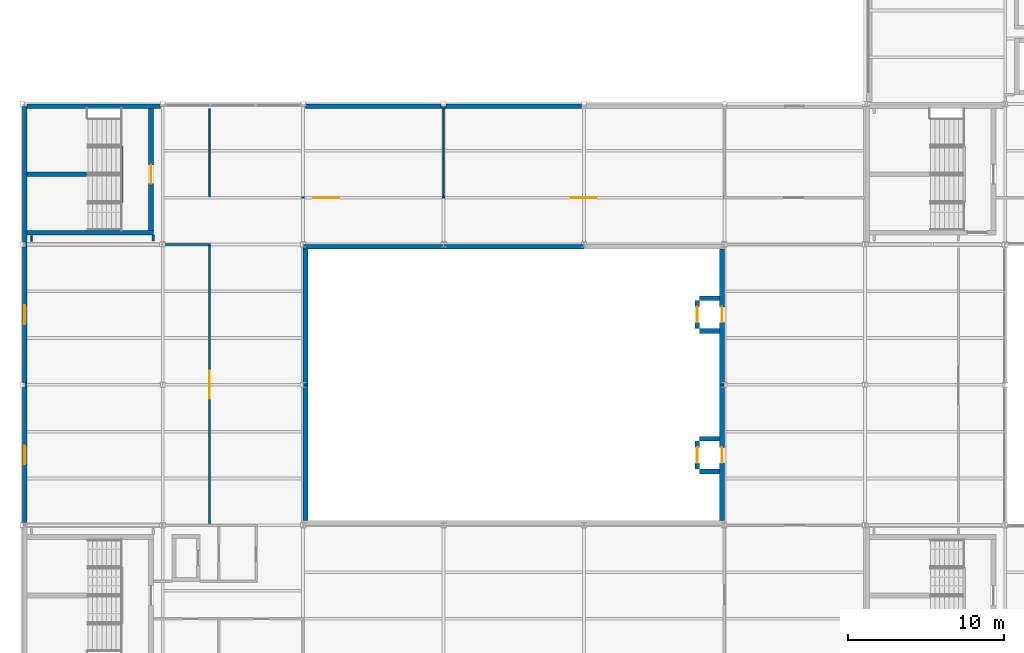
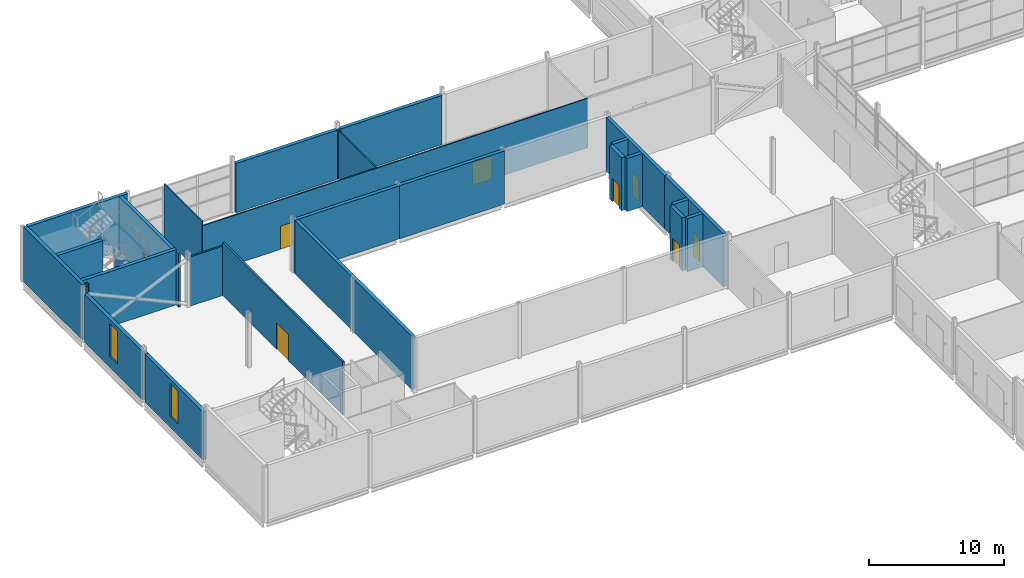
# One storey, part 82 of 112: 32 walls, 8 doors, 2 windows, 10 openings.
"""IFC4 building model written with IfcOpenShell, lengths in metres."""

from ifc_helpers import new_model, si_unit, direction, frame, frame_2d, origin, place, context, subcontext, project, spatial, rectangle, extrude, material, layer, layer_set, type_object, element, fill, save


model = new_model("IFC4")

# Units and contexts
model_context = context("Model", 3, precision=1e-05, world=origin(), true_north=direction((0.0, 1.0)))
body_context = subcontext(model_context, "Body", "Model", "MODEL_VIEW")
ifc_project = project(units=[si_unit("LENGTHUNIT", "METRE"), si_unit("AREAUNIT", "SQUARE_METRE"), si_unit("VOLUMEUNIT", "CUBIC_METRE"), si_unit("PLANEANGLEUNIT", "RADIAN"), si_unit("MASSUNIT", "GRAM", prefix="KILO")], contexts=[model_context])

# Site, building, storey
site_placement = place(None, origin())
site = spatial("IfcSite", under=ifc_project, at=site_placement, CompositionType="ELEMENT")
building_placement = place(site_placement, origin())
building = spatial("IfcBuilding", under=site, at=building_placement, Name="Shorebreak Coast Museum", CompositionType="ELEMENT")
storey_placement = place(building_placement, frame((0.0, 0.0, 6.0)))
storey = spatial("IfcBuildingStorey", under=building, at=storey_placement, Name="L01", CompositionType="ELEMENT", Elevation=6.0)

# Walls
ifc_material_1 = material(Name="Concrete N50 (50 MPa)", Category="concrete")
ifc_layer_1 = layer(ifc_material_1, 0.14990234375)
ifc_layer_set_1 = layer_set([ifc_layer_1], Name="Concrete N50 (50 MPa)")
wall_type_1 = type_object("IfcWallType", Name="Column closure panel 150", PredefinedType="SOLIDWALL", material=ifc_layer_set_1)
wall_1_placement = place(storey_placement, frame((26.839111328125, 89.77490234375, 0.0), z_axis=(0.0, 0.0, 1.0), x_axis=(1.0, 0.0, 0.0)))
element("IfcWall", 1, at=wall_1_placement, inside=storey, type_object=wall_type_1, Name="Column closure panel L01 N 4L", PredefinedType="SOLIDWALL", context=body_context, shape_type="SweptSolid", body=[
    extrude(rectangle(XDim=0.32177734375, YDim=0.14990234375, at=frame_2d((0.160888671875, 0.0))), origin(), (0.0, 0.0, 1.0), 4.469482421875),
])
wall_2_placement = place(storey_placement, frame((0.22509765625, 71.839111328125, 0.0), z_axis=(0.0, 0.0, 1.0), x_axis=(0.0, 1.0, 0.0)))
element("IfcWall", 2, at=wall_2_placement, inside=storey, type_object=wall_type_1, Name="Column closure panel L01 W 1J", PredefinedType="SOLIDWALL", context=body_context, shape_type="SweptSolid", body=[
    extrude(rectangle(XDim=0.32177734375, YDim=0.14990234375, at=frame_2d((0.160888671875, 0.0))), origin(), (0.0, 0.0, 1.0), 4.364501953125),
])
wall_3_placement = place(storey_placement, frame((0.22509765625, 80.827880859375, 0.0), z_axis=(0.0, 0.0, 1.0), x_axis=(0.0, 1.0, 0.0)))
element("IfcWall", 3, at=wall_3_placement, inside=storey, type_object=wall_type_1, Name="Column closure panel L01 W 1K", PredefinedType="SOLIDWALL", context=body_context, shape_type="SweptSolid", body=[
    extrude(rectangle(XDim=0.322021484375, YDim=0.14990234375, at=frame_2d((0.1611328125, 0.0))), origin(), (0.0, 0.0, 1.0), 5.0),
])
ifc_material_2 = material(Name="Plasterboard on steel stud", Category="steel")
ifc_layer_2 = layer(ifc_material_2, 0.14990234375)
ifc_layer_set_2 = layer_set([ifc_layer_2], Name="Plasterboard on steel stud")
wall_type_2 = type_object("IfcWallType", Name="Fire partition 150", PredefinedType="PARTITIONING", material=ifc_layer_set_2)
wall_4_placement = place(storey_placement, frame((9.154541015625, 81.0, 0.0), z_axis=(0.0, 0.0, 1.0), x_axis=(1.0, 0.0, 0.0)))
element("IfcWall", 4, at=wall_4_placement, inside=storey, type_object=wall_type_2, Name="Partition L01-050", PredefinedType="PARTITIONING", context=body_context, shape_type="SweptSolid", body=[
    extrude(rectangle(XDim=2.92041015625, YDim=0.14990234375, at=frame_2d((1.460205078125, 0.0))), origin(), (0.0, 0.0, 1.0), 4.469482421875),
])
wall_5_placement = place(storey_placement, frame((8.39990234375, 81.219970703125, 0.0), z_axis=(0.0, 0.0, 1.0), x_axis=(0.0, 1.0, 0.0)))
element("IfcWall", 5, at=wall_5_placement, inside=storey, type_object=wall_type_2, Name="Partition L01-088", PredefinedType="PARTITIONING", context=body_context, shape_type="SweptSolid", body=[
    extrude(rectangle(XDim=0.380126953125, YDim=0.14990234375, at=frame_2d((0.18994140625, 0.0))), origin(), (0.0, 0.0, 1.0), 4.824951171875),
])

# Wall, opening, door
wall_6_placement = place(storey_placement, frame((12.0, 63.0625, 0.0), z_axis=(0.0, 0.0, 1.0), x_axis=(0.0, 1.0, 0.0)))
wall_6 = element("IfcWall", 6, at=wall_6_placement, inside=storey, type_object=wall_type_2, Name="Partition L01-089", PredefinedType="PARTITIONING", context=body_context, shape_type="SweptSolid", body=[
    extrude(rectangle(XDim=17.862548828125, YDim=0.14990234375, at=frame_2d((8.93115234375, 0.0))), origin(), (0.0, 0.0, 1.0), 4.824951171875),
])
opening_1_placement = place(wall_6_placement, frame((8.050048828125, 0.0, 0.0)))
opening_1 = element("IfcOpeningElement", 7, at=opening_1_placement, cuts=wall_6, Name="Opening D1048", PredefinedType="OPENING", context=body_context, shape_type="SweptSolid", body=[
    extrude(rectangle(XDim=1.800048828125, YDim=2.39990234375, at=frame_2d((0.89990234375, 1.199951171875))), frame((0.0, 0.0849609375, 0.0), z_axis=(0.0, -1.0, 0.0), x_axis=(1.0, 0.0, 0.0)), (0.0, 0.0, 1.0), 0.169921875),
])
ifc_material_3 = material(Name="Steel", Category="steel")
door_type_1 = type_object("IfcDoorType", Name="Fire door 1800x2400 60", OperationType="DOUBLE_DOOR_SINGLE_SWING", PredefinedType="DOOR", material=ifc_material_3)
door_1_placement = place(opening_1_placement, origin())
door_1 = element("IfcDoor", 8, at=door_1_placement, inside=storey, type_object=door_type_1, Name="Door D1048 Family Gallery", OperationType="DOUBLE_DOOR_SINGLE_SWING", OverallHeight=2.39990234375, OverallWidth=1.800048828125, PredefinedType="DOOR", context=body_context, shape_type="SweptSolid", body=[
    extrude(rectangle(XDim=1.800048828125, YDim=2.39990234375, at=frame_2d((0.89990234375, 1.199951171875))), frame((0.0, 0.02490234375, 0.0), z_axis=(0.0, -1.0, 0.0), x_axis=(1.0, 0.0, 0.0)), (0.0, 0.0, 1.0), 0.050048828125),
])
fill(opening_1, door_1)

# Wall, openings, doors
ifc_material_4 = material(Name="Plasterboard on steel stud", Category="steel")
ifc_layer_3 = layer(ifc_material_4, 0.10009765625)
ifc_layer_set_3 = layer_set([ifc_layer_3], Name="Plasterboard on steel stud")
wall_type_3 = type_object("IfcWallType", Name="Partition 100", PredefinedType="PARTITIONING", material=ifc_layer_set_3)
wall_7_placement = place(storey_placement, frame((11.949951171875, 84.0, 0.0), z_axis=(0.0, 0.0, 1.0), x_axis=(1.0, 0.0, 0.0)))
wall_7 = element("IfcWall", 9, at=wall_7_placement, inside=storey, type_object=wall_type_3, Name="Partition L01-057", PredefinedType="PARTITIONING", context=body_context, shape_type="SweptSolid", body=[
    extrude(rectangle(XDim=33.10009765625, YDim=0.10009765625, at=frame_2d((16.550048828125, 0.0))), origin(), (0.0, 0.0, 1.0), 4.469482421875),
])
opening_2_placement = place(wall_7_placement, frame((6.699951171875, 0.0, 0.0)))
opening_2 = element("IfcOpeningElement", 10, at=opening_2_placement, cuts=wall_7, Name="Opening D1050", PredefinedType="OPENING", context=body_context, shape_type="SweptSolid", body=[
    extrude(rectangle(XDim=1.64990234375, YDim=2.10009765625, at=frame_2d((0.824951171875, 1.050048828125))), frame((0.0, 0.06005859375, 0.0), z_axis=(0.0, -1.0, 0.0), x_axis=(1.0, 0.0, 0.0)), (0.0, 0.0, 1.0), 0.1201171875),
])
opening_3_placement = place(wall_7_placement, frame((23.199951171875, 0.0, 0.0)))
opening_3 = element("IfcOpeningElement", 11, at=opening_3_placement, cuts=wall_7, Name="Opening D1051", PredefinedType="OPENING", context=body_context, shape_type="SweptSolid", body=[
    extrude(rectangle(XDim=1.64990234375, YDim=2.10009765625, at=frame_2d((0.824951171875, 1.050048828125))), frame((0.0, 0.06005859375, 0.0), z_axis=(0.0, -1.0, 0.0), x_axis=(1.0, 0.0, 0.0)), (0.0, 0.0, 1.0), 0.1201171875),
])
ifc_material_5 = material(Name="Timber", Category="wood")
door_type_2 = type_object("IfcDoorType", Name="Interior door 1650x2100", OperationType="DOUBLE_DOOR_SINGLE_SWING", PredefinedType="DOOR", material=ifc_material_5)
door_2_placement = place(opening_2_placement, origin())
door_2 = element("IfcDoor", 12, at=door_2_placement, inside=storey, type_object=door_type_2, Name="Door D1050 Learning Studio 1.01", OperationType="DOUBLE_DOOR_SINGLE_SWING", OverallHeight=2.10009765625, OverallWidth=1.64990234375, PredefinedType="DOOR", context=body_context, shape_type="SweptSolid", body=[
    extrude(rectangle(XDim=1.64990234375, YDim=2.10009765625, at=frame_2d((0.824951171875, 1.050048828125))), frame((0.0, 0.02490234375, 0.0), z_axis=(0.0, -1.0, 0.0), x_axis=(1.0, 0.0, 0.0)), (0.0, 0.0, 1.0), 0.050048828125),
])
fill(opening_2, door_2)
door_3_placement = place(opening_3_placement, origin())
door_3 = element("IfcDoor", 13, at=door_3_placement, inside=storey, type_object=door_type_2, Name="Door D1051 Learning Studio 1.02", OperationType="DOUBLE_DOOR_SINGLE_SWING", OverallHeight=2.10009765625, OverallWidth=1.64990234375, PredefinedType="DOOR", context=body_context, shape_type="SweptSolid", body=[
    extrude(rectangle(XDim=1.64990234375, YDim=2.10009765625, at=frame_2d((0.824951171875, 1.050048828125))), frame((0.0, 0.02490234375, 0.0), z_axis=(0.0, -1.0, 0.0), x_axis=(1.0, 0.0, 0.0)), (0.0, 0.0, 1.0), 0.050048828125),
])
fill(opening_3, door_3)

# Walls
wall_8_placement = place(storey_placement, frame((0.60009765625, 81.219970703125, 0.0), z_axis=(0.0, 0.0, 1.0), x_axis=(0.0, 1.0, 0.0)))
element("IfcWall", 14, at=wall_8_placement, inside=storey, type_object=wall_type_3, Name="Partition L01-086", PredefinedType="PARTITIONING", context=body_context, shape_type="SweptSolid", body=[
    extrude(rectangle(XDim=0.330078125, YDim=0.10009765625, at=frame_2d((0.1650390625, 0.0))), origin(), (0.0, 0.0, 1.0), 4.824951171875),
])
wall_9_placement = place(storey_placement, frame((12.0, 84.050048828125, 0.0), z_axis=(0.0, 0.0, 1.0), x_axis=(0.0, 1.0, 0.0)))
element("IfcWall", 15, at=wall_9_placement, inside=storey, type_object=wall_type_3, Name="Partition L01-090", PredefinedType="PARTITIONING", context=body_context, shape_type="SweptSolid", body=[
    extrude(rectangle(XDim=5.64990234375, YDim=0.10009765625, at=frame_2d((2.824951171875, 0.0))), origin(), (0.0, 0.0, 1.0), 4.824951171875),
])
wall_10_placement = place(storey_placement, frame((27.0, 84.050048828125, 0.0), z_axis=(0.0, 0.0, 1.0), x_axis=(0.0, 1.0, 0.0)))
element("IfcWall", 16, at=wall_10_placement, inside=storey, type_object=wall_type_3, Name="Partition L01-095", PredefinedType="PARTITIONING", context=body_context, shape_type="SweptSolid", body=[
    extrude(rectangle(XDim=5.64990234375, YDim=0.10009765625, at=frame_2d((2.824951171875, 0.0))), origin(), (0.0, 0.0, 1.0), 4.364501953125),
])

# Wall, opening, window
ifc_material_6 = material(Name="Concrete N50 (50 MPa)", Category="concrete")
ifc_layer_4 = layer(ifc_material_6, 0.300048828125)
ifc_layer_set_4 = layer_set([ifc_layer_4], Name="Concrete N50 (50 MPa)")
wall_type_4 = type_object("IfcWallType", Name="Precast board-marked panel 300", PredefinedType="SOLIDWALL", material=ifc_layer_set_4)
wall_11_placement = place(storey_placement, frame((0.14990234375, 63.172119140625, 0.0), z_axis=(0.0, 0.0, 1.0), x_axis=(0.0, 1.0, 0.0)))
wall_11 = element("IfcWall", 17, at=wall_11_placement, inside=storey, type_object=wall_type_4, Name="External wall L01 W 1H", PredefinedType="SOLIDWALL", context=body_context, shape_type="SweptSolid", body=[
    extrude(rectangle(XDim=8.6669921875, YDim=0.300048828125, at=frame_2d((4.33349609375, 0.0))), origin(), (0.0, 0.0, 1.0), 4.364501953125),
])
opening_4_placement = place(wall_11_placement, frame((3.72802734375, 0.0, 1.0)))
opening_4 = element("IfcOpeningElement", 18, at=opening_4_placement, cuts=wall_11, Name="Opening WN1052", PredefinedType="OPENING", context=body_context, shape_type="SweptSolid", body=[
    extrude(rectangle(XDim=1.199951171875, YDim=3.0, at=frame_2d((0.60009765625, 1.5))), frame((0.0, 0.159912109375, 0.0), z_axis=(0.0, -1.0, 0.0), x_axis=(1.0, 0.0, 0.0)), (0.0, 0.0, 1.0), 0.320068359375),
])
ifc_material_7 = material(Name="Aluminium", Category="aluminium")
window_type = type_object("IfcWindowType", Name="Foyer slot window 1200 x 3000", PartitioningType="SINGLE_PANEL", PredefinedType="WINDOW", material=ifc_material_7)
window_1_placement = place(opening_4_placement, origin())
window_1 = element("IfcWindow", 19, at=window_1_placement, inside=storey, type_object=window_type, Name="Window WN1052", OverallHeight=3.0, OverallWidth=1.199951171875, PartitioningType="SINGLE_PANEL", PredefinedType="WINDOW", context=body_context, shape_type="SweptSolid", body=[
    extrude(rectangle(XDim=1.199951171875, YDim=3.0, at=frame_2d((0.60009765625, 1.5))), frame((0.0, 0.030029296875, 0.0), z_axis=(0.0, -1.0, 0.0), x_axis=(1.0, 0.0, 0.0)), (0.0, 0.0, 1.0), 0.06005859375),
])
fill(opening_4, window_1)

wall_12_placement = place(storey_placement, frame((0.14990234375, 72.160888671875, 0.0), z_axis=(0.0, 0.0, 1.0), x_axis=(0.0, 1.0, 0.0)))
wall_12 = element("IfcWall", 20, at=wall_12_placement, inside=storey, type_object=wall_type_4, Name="External wall L01 W 1J", PredefinedType="SOLIDWALL", context=body_context, shape_type="SweptSolid", body=[
    extrude(rectangle(XDim=8.6669921875, YDim=0.300048828125, at=frame_2d((4.33349609375, 0.0))), origin(), (0.0, 0.0, 1.0), 4.364501953125),
])
opening_5_placement = place(wall_12_placement, frame((3.739013671875, 0.0, 1.0)))
opening_5 = element("IfcOpeningElement", 21, at=opening_5_placement, cuts=wall_12, Name="Opening WN1053", PredefinedType="OPENING", context=body_context, shape_type="SweptSolid", body=[
    extrude(rectangle(XDim=1.199951171875, YDim=3.0, at=frame_2d((0.60009765625, 1.5))), frame((0.0, 0.159912109375, 0.0), z_axis=(0.0, -1.0, 0.0), x_axis=(1.0, 0.0, 0.0)), (0.0, 0.0, 1.0), 0.320068359375),
])
window_2_placement = place(opening_5_placement, origin())
window_2 = element("IfcWindow", 22, at=window_2_placement, inside=storey, type_object=window_type, Name="Window WN1053", OverallHeight=3.0, OverallWidth=1.199951171875, PartitioningType="SINGLE_PANEL", PredefinedType="WINDOW", context=body_context, shape_type="SweptSolid", body=[
    extrude(rectangle(XDim=1.199951171875, YDim=3.0, at=frame_2d((0.60009765625, 1.5))), frame((0.0, 0.030029296875, 0.0), z_axis=(0.0, -1.0, 0.0), x_axis=(1.0, 0.0, 0.0)), (0.0, 0.0, 1.0), 0.06005859375),
])
fill(opening_5, window_2)

# Walls
wall_13_placement = place(storey_placement, frame((18.14990234375, 89.85009765625, 0.0), z_axis=(0.0, 0.0, 1.0), x_axis=(1.0, 0.0, 0.0)))
element("IfcWall", 23, at=wall_13_placement, inside=storey, type_object=wall_type_4, Name="External wall L01 N 3L", PredefinedType="SOLIDWALL", context=body_context, shape_type="SweptSolid", body=[
    extrude(rectangle(XDim=8.689208984375, YDim=0.300048828125, at=frame_2d((4.3447265625, 0.0))), origin(), (0.0, 0.0, 1.0), 4.469482421875),
])
wall_14_placement = place(storey_placement, frame((27.160888671875, 89.85009765625, 0.0), z_axis=(0.0, 0.0, 1.0), x_axis=(1.0, 0.0, 0.0)))
element("IfcWall", 24, at=wall_14_placement, inside=storey, type_object=wall_type_4, Name="External wall L01 N 4L", PredefinedType="SOLIDWALL", context=body_context, shape_type="SweptSolid", body=[
    extrude(rectangle(XDim=8.67822265625, YDim=0.300048828125, at=frame_2d((4.339111328125, 0.0))), origin(), (0.0, 0.0, 1.0), 4.469482421875),
])
ifc_material_8 = material(Name="Concrete N50 (50 MPa)", Category="concrete")
ifc_layer_5 = layer(ifc_material_8, 0.300048828125)
ifc_layer_set_5 = layer_set([ifc_layer_5], Name="Concrete N50 (50 MPa)")
wall_type_5 = type_object("IfcWallType", Name="RC wall 300", PredefinedType="SHEAR", material=ifc_layer_set_5)
wall_15_placement = place(storey_placement, frame((0.300048828125, 81.75, 0.0), z_axis=(0.0, 0.0, 1.0), x_axis=(1.0, 0.0, 0.0)))
element("IfcWall", 25, at=wall_15_placement, inside=storey, type_object=wall_type_5, Name="Stair core wall ST06 L01 S", PredefinedType="SHEAR", context=body_context, shape_type="SweptSolid", body=[
    extrude(rectangle(XDim=8.099853515625, YDim=0.300048828125, at=frame_2d((4.0498046875, 0.0))), origin(), (0.0, 0.0, 1.0), 5.0),
])
wall_16_placement = place(storey_placement, frame((0.300048828125, 89.85009765625, 0.0), z_axis=(0.0, 0.0, 1.0), x_axis=(1.0, 0.0, 0.0)))
element("IfcWall", 26, at=wall_16_placement, inside=storey, type_object=wall_type_5, Name="Stair core wall ST06 L01 N", PredefinedType="SHEAR", context=body_context, shape_type="SweptSolid", body=[
    extrude(rectangle(XDim=8.550048828125, YDim=0.300048828125, at=frame_2d((4.27490234375, 0.0))), origin(), (0.0, 0.0, 1.0), 5.0),
])
wall_17_placement = place(storey_placement, frame((0.14990234375, 81.14990234375, 0.0), z_axis=(0.0, 0.0, 1.0), x_axis=(0.0, 1.0, 0.0)))
element("IfcWall", 27, at=wall_17_placement, inside=storey, type_object=wall_type_5, Name="Stair core wall ST06 L01 W", PredefinedType="SHEAR", context=body_context, shape_type="SweptSolid", body=[
    extrude(rectangle(XDim=8.7001953125, YDim=0.300048828125, at=frame_2d((4.35009765625, 0.0))), origin(), (0.0, 0.0, 1.0), 5.0),
])

# Wall, opening, door
wall_18_placement = place(storey_placement, frame((8.25, 81.89990234375, 0.0), z_axis=(0.0, 0.0, 1.0), x_axis=(0.0, 1.0, 0.0)))
wall_18 = element("IfcWall", 28, at=wall_18_placement, inside=storey, type_object=wall_type_5, Name="Stair core wall ST06 L01 E", PredefinedType="SHEAR", context=body_context, shape_type="SweptSolid", body=[
    extrude(rectangle(XDim=7.800048828125, YDim=0.300048828125, at=frame_2d((3.89990234375, 0.0))), origin(), (0.0, 0.0, 1.0), 5.0),
])
opening_6_placement = place(wall_18_placement, frame((3.0, 0.0, 0.0)))
opening_6 = element("IfcOpeningElement", 29, at=opening_6_placement, cuts=wall_18, Name="Opening D1806", PredefinedType="OPENING", context=body_context, shape_type="SweptSolid", body=[
    extrude(rectangle(XDim=1.199951171875, YDim=2.10009765625, at=frame_2d((0.60009765625, 1.050048828125))), frame((0.0, 0.159912109375, 0.0), z_axis=(0.0, -1.0, 0.0), x_axis=(1.0, 0.0, 0.0)), (0.0, 0.0, 1.0), 0.320068359375),
])
ifc_material_9 = material(Name="Steel Grade 300", Category="steel")
door_type_3 = type_object("IfcDoorType", Name="Fire door 1200x2100", OperationType="SINGLE_SWING_LEFT", PredefinedType="DOOR", material=ifc_material_9)
door_4_placement = place(opening_6_placement, origin())
door_4 = element("IfcDoor", 30, at=door_4_placement, inside=storey, type_object=door_type_3, Name="Stair door ST06 L01", OperationType="SINGLE_SWING_RIGHT", OverallHeight=2.10009765625, OverallWidth=1.199951171875, PredefinedType="DOOR", context=body_context, shape_type="SweptSolid", body=[
    extrude(rectangle(XDim=1.199951171875, YDim=2.10009765625, at=frame_2d((0.60009765625, 1.050048828125))), frame((0.0, 0.02490234375, 0.0), z_axis=(0.0, -1.0, 0.0), x_axis=(1.0, 0.0, 0.0)), (0.0, 0.0, 1.0), 0.050048828125),
])
fill(opening_6, door_4)

# Walls
wall_19_placement = place(storey_placement, frame((4.199951171875, 85.5, 0.0), z_axis=(0.0, 0.0, 1.0), x_axis=(-1.0, 0.0, 0.0)))
element("IfcWall", 31, at=wall_19_placement, inside=storey, type_object=wall_type_5, Name="Stair spine wall ST06 L01", PredefinedType="SHEAR", context=body_context, shape_type="SweptSolid", body=[
    extrude(rectangle(XDim=3.89990234375, YDim=0.300048828125, at=frame_2d((1.949951171875, 0.0))), origin(), (0.0, 0.0, 1.0), 5.0),
])
for number, where, z_axis, x_axis, name in (
    (32, (18.0, 80.85009765625, 0.0), (0.0, 0.0, 1.0), (1.0, 0.0, 0.0), "Auditorium wall L01 N1"),
    (33, (27.0, 80.85009765625, 0.0), (0.0, 0.0, 1.0), (1.0, 0.0, 0.0), "Auditorium wall L01 N2"),
):
    element("IfcWall", number, at=place(storey_placement, frame(where, z_axis=z_axis, x_axis=x_axis)), inside=storey, type_object=wall_type_5, Name=name, PredefinedType="SHEAR", context=body_context, shape_type="SweptSolid", body=[
        extrude(rectangle(XDim=9.0, YDim=0.300048828125, at=frame_2d((4.5, 0.0))), origin(), (0.0, 0.0, 1.0), 4.824951171875),
    ])
for number, where, z_axis, x_axis, name in (
    (34, (18.14990234375, 63.300048828125, 0.0), (0.0, 0.0, 1.0), (0.0, 1.0, 0.0), "Auditorium wall L01 W1"),
    (35, (18.14990234375, 72.0, 0.0), (0.0, 0.0, 1.0), (0.0, 1.0, 0.0), "Auditorium wall L01 W2"),
):
    element("IfcWall", number, at=place(storey_placement, frame(where, z_axis=z_axis, x_axis=x_axis)), inside=storey, type_object=wall_type_5, Name=name, PredefinedType="SHEAR", context=body_context, shape_type="SweptSolid", body=[
        extrude(rectangle(XDim=8.699951171875, YDim=0.300048828125, at=frame_2d((4.35009765625, 0.0))), origin(), (0.0, 0.0, 1.0), 4.824951171875),
    ])

# Wall, opening, door
wall_20_placement = place(storey_placement, frame((44.85009765625, 63.300048828125, 0.0), z_axis=(0.0, 0.0, 1.0), x_axis=(0.0, 1.0, 0.0)))
wall_20 = element("IfcWall", 36, at=wall_20_placement, inside=storey, type_object=wall_type_5, Name="Auditorium wall L01 E1", PredefinedType="SHEAR", context=body_context, shape_type="SweptSolid", body=[
    extrude(rectangle(XDim=8.699951171875, YDim=0.300048828125, at=frame_2d((4.35009765625, 0.0))), origin(), (0.0, 0.0, 1.0), 4.824951171875),
])
opening_7_placement = place(wall_20_placement, frame((3.699951171875, 0.0, 0.0)))
opening_7 = element("IfcOpeningElement", 37, at=opening_7_placement, cuts=wall_20, Name="Opening D1501", PredefinedType="OPENING", context=body_context, shape_type="SweptSolid", body=[
    extrude(rectangle(XDim=1.0, YDim=2.10009765625, at=frame_2d((0.5, 1.050048828125))), frame((0.0, 0.159912109375, 0.0), z_axis=(0.0, -1.0, 0.0), x_axis=(1.0, 0.0, 0.0)), (0.0, 0.0, 1.0), 0.320068359375),
])
ifc_material_10 = material(Name="Timber", Category="wood")
door_type_4 = type_object("IfcDoorType", Name="Sound lock door 1000x2100", OperationType="SINGLE_SWING_LEFT", PredefinedType="DOOR", material=ifc_material_10)
door_5_placement = place(opening_7_placement, origin())
door_5 = element("IfcDoor", 38, at=door_5_placement, inside=storey, type_object=door_type_4, Name="Sound lock outer door 1", OperationType="SINGLE_SWING_LEFT", OverallHeight=2.10009765625, OverallWidth=1.0, PredefinedType="DOOR", context=body_context, shape_type="SweptSolid", body=[
    extrude(rectangle(XDim=1.0, YDim=2.10009765625, at=frame_2d((0.5, 1.050048828125))), frame((0.0, 0.02490234375, 0.0), z_axis=(0.0, -1.0, 0.0), x_axis=(1.0, 0.0, 0.0)), (0.0, 0.0, 1.0), 0.050048828125),
])
fill(opening_7, door_5)

wall_21_placement = place(storey_placement, frame((44.85009765625, 72.0, 0.0), z_axis=(0.0, 0.0, 1.0), x_axis=(0.0, 1.0, 0.0)))
wall_21 = element("IfcWall", 39, at=wall_21_placement, inside=storey, type_object=wall_type_5, Name="Auditorium wall L01 E2", PredefinedType="SHEAR", context=body_context, shape_type="SweptSolid", body=[
    extrude(rectangle(XDim=8.699951171875, YDim=0.300048828125, at=frame_2d((4.35009765625, 0.0))), origin(), (0.0, 0.0, 1.0), 4.824951171875),
])
opening_8_placement = place(wall_21_placement, frame((4.0, 0.0, 0.0)))
opening_8 = element("IfcOpeningElement", 40, at=opening_8_placement, cuts=wall_21, Name="Opening D1502", PredefinedType="OPENING", context=body_context, shape_type="SweptSolid", body=[
    extrude(rectangle(XDim=1.0, YDim=2.10009765625, at=frame_2d((0.5, 1.050048828125))), frame((0.0, 0.159912109375, 0.0), z_axis=(0.0, -1.0, 0.0), x_axis=(1.0, 0.0, 0.0)), (0.0, 0.0, 1.0), 0.320068359375),
])
door_6_placement = place(opening_8_placement, origin())
door_6 = element("IfcDoor", 41, at=door_6_placement, inside=storey, type_object=door_type_4, Name="Sound lock outer door 2", OperationType="SINGLE_SWING_RIGHT", OverallHeight=2.10009765625, OverallWidth=1.0, PredefinedType="DOOR", context=body_context, shape_type="SweptSolid", body=[
    extrude(rectangle(XDim=1.0, YDim=2.10009765625, at=frame_2d((0.5, 1.050048828125))), frame((0.0, 0.02490234375, 0.0), z_axis=(0.0, -1.0, 0.0), x_axis=(1.0, 0.0, 0.0)), (0.0, 0.0, 1.0), 0.050048828125),
])
fill(opening_8, door_6)

wall_22_placement = place(storey_placement, frame((43.25, 66.60009765625, 0.0), z_axis=(0.0, 0.0, 1.0), x_axis=(0.0, 1.0, 0.0)))
wall_22 = element("IfcWall", 42, at=wall_22_placement, inside=storey, type_object=wall_type_5, Name="Sound lock wall 1 inner", PredefinedType="SHEAR", context=body_context, shape_type="SweptSolid", body=[
    extrude(rectangle(XDim=1.7998046875, YDim=0.300048828125, at=frame_2d((0.89990234375, 0.0))), origin(), (0.0, 0.0, 1.0), 4.824951171875),
])
opening_9_placement = place(wall_22_placement, frame((0.39990234375, 0.0, 0.0)))
opening_9 = element("IfcOpeningElement", 43, at=opening_9_placement, cuts=wall_22, Name="Opening D1503", PredefinedType="OPENING", context=body_context, shape_type="SweptSolid", body=[
    extrude(rectangle(XDim=1.0, YDim=2.10009765625, at=frame_2d((0.5, 1.050048828125))), frame((0.0, 0.159912109375, 0.0), z_axis=(0.0, -1.0, 0.0), x_axis=(1.0, 0.0, 0.0)), (0.0, 0.0, 1.0), 0.320068359375),
])
door_7_placement = place(opening_9_placement, origin())
door_7 = element("IfcDoor", 44, at=door_7_placement, inside=storey, type_object=door_type_4, Name="Sound lock inner door 1", OperationType="SINGLE_SWING_RIGHT", OverallHeight=2.10009765625, OverallWidth=1.0, PredefinedType="DOOR", context=body_context, shape_type="SweptSolid", body=[
    extrude(rectangle(XDim=1.0, YDim=2.10009765625, at=frame_2d((0.5, 1.050048828125))), frame((0.0, 0.02490234375, 0.0), z_axis=(0.0, -1.0, 0.0), x_axis=(1.0, 0.0, 0.0)), (0.0, 0.0, 1.0), 0.050048828125),
])
fill(opening_9, door_7)

# Walls
for number, where, z_axis, x_axis, name in (
    (45, (43.39990234375, 66.449951171875, 0.0), (0.0, 0.0, 1.0), (1.0, 0.0, 0.0), "Sound lock wall 1 S"),
    (46, (43.39990234375, 68.550048828125, 0.0), (0.0, 0.0, 1.0), (1.0, 0.0, 0.0), "Sound lock wall 1 N"),
):
    element("IfcWall", number, at=place(storey_placement, frame(where, z_axis=z_axis, x_axis=x_axis)), inside=storey, type_object=wall_type_5, Name=name, PredefinedType="SHEAR", context=body_context, shape_type="SweptSolid", body=[
        extrude(rectangle(XDim=1.300048828125, YDim=0.300048828125, at=frame_2d((0.64990234375, 0.0))), origin(), (0.0, 0.0, 1.0), 4.824951171875),
    ])

# Wall, opening, door
wall_23_placement = place(storey_placement, frame((43.25, 75.60009765625, 0.0), z_axis=(0.0, 0.0, 1.0), x_axis=(0.0, 1.0, 0.0)))
wall_23 = element("IfcWall", 47, at=wall_23_placement, inside=storey, type_object=wall_type_5, Name="Sound lock wall 2 inner", PredefinedType="SHEAR", context=body_context, shape_type="SweptSolid", body=[
    extrude(rectangle(XDim=1.7998046875, YDim=0.300048828125, at=frame_2d((0.89990234375, 0.0))), origin(), (0.0, 0.0, 1.0), 4.824951171875),
])
opening_10_placement = place(wall_23_placement, frame((0.39990234375, 0.0, 0.0)))
opening_10 = element("IfcOpeningElement", 48, at=opening_10_placement, cuts=wall_23, Name="Opening D1504", PredefinedType="OPENING", context=body_context, shape_type="SweptSolid", body=[
    extrude(rectangle(XDim=1.0, YDim=2.10009765625, at=frame_2d((0.5, 1.050048828125))), frame((0.0, 0.159912109375, 0.0), z_axis=(0.0, -1.0, 0.0), x_axis=(1.0, 0.0, 0.0)), (0.0, 0.0, 1.0), 0.320068359375),
])
door_8_placement = place(opening_10_placement, origin())
door_8 = element("IfcDoor", 49, at=door_8_placement, inside=storey, type_object=door_type_4, Name="Sound lock inner door 2", OperationType="SINGLE_SWING_LEFT", OverallHeight=2.10009765625, OverallWidth=1.0, PredefinedType="DOOR", context=body_context, shape_type="SweptSolid", body=[
    extrude(rectangle(XDim=1.0, YDim=2.10009765625, at=frame_2d((0.5, 1.050048828125))), frame((0.0, 0.02490234375, 0.0), z_axis=(0.0, -1.0, 0.0), x_axis=(1.0, 0.0, 0.0)), (0.0, 0.0, 1.0), 0.050048828125),
])
fill(opening_10, door_8)

# Walls
for number, where, z_axis, x_axis, name in (
    (50, (43.39990234375, 75.449951171875, 0.0), (0.0, 0.0, 1.0), (1.0, 0.0, 0.0), "Sound lock wall 2 S"),
    (51, (43.39990234375, 77.550048828125, 0.0), (0.0, 0.0, 1.0), (1.0, 0.0, 0.0), "Sound lock wall 2 N"),
):
    element("IfcWall", number, at=place(storey_placement, frame(where, z_axis=z_axis, x_axis=x_axis)), inside=storey, type_object=wall_type_5, Name=name, PredefinedType="SHEAR", context=body_context, shape_type="SweptSolid", body=[
        extrude(rectangle(XDim=1.300048828125, YDim=0.300048828125, at=frame_2d((0.64990234375, 0.0))), origin(), (0.0, 0.0, 1.0), 4.824951171875),
    ])
ifc_material_11 = material(Name="Concrete N50 (50 MPa)", Category="concrete")
ifc_layer_6 = layer(ifc_material_11, 0.14990234375)
ifc_layer_set_6 = layer_set([ifc_layer_6], Name="Concrete N50 (50 MPa)")
wall_type_6 = type_object("IfcWallType", Name="Understair wall 150", PredefinedType="STANDARD", material=ifc_layer_set_6)
wall_24_placement = place(storey_placement, frame((6.375, 83.699951171875, 0.0), z_axis=(0.0, 0.0, 1.0), x_axis=(0.0, 1.0, 0.0)))
element("IfcWall", 52, at=wall_24_placement, inside=storey, type_object=wall_type_6, Name="Understair wall ST06 L01 floor", PredefinedType="STANDARD", context=body_context, shape_type="SweptSolid", body=[
    extrude(rectangle(XDim=3.60009765625, YDim=0.14990234375, at=frame_2d((1.800048828125, 0.0))), origin(), (0.0, 0.0, 1.0), 2.300048828125),
])

save(model, "model.ifc")
